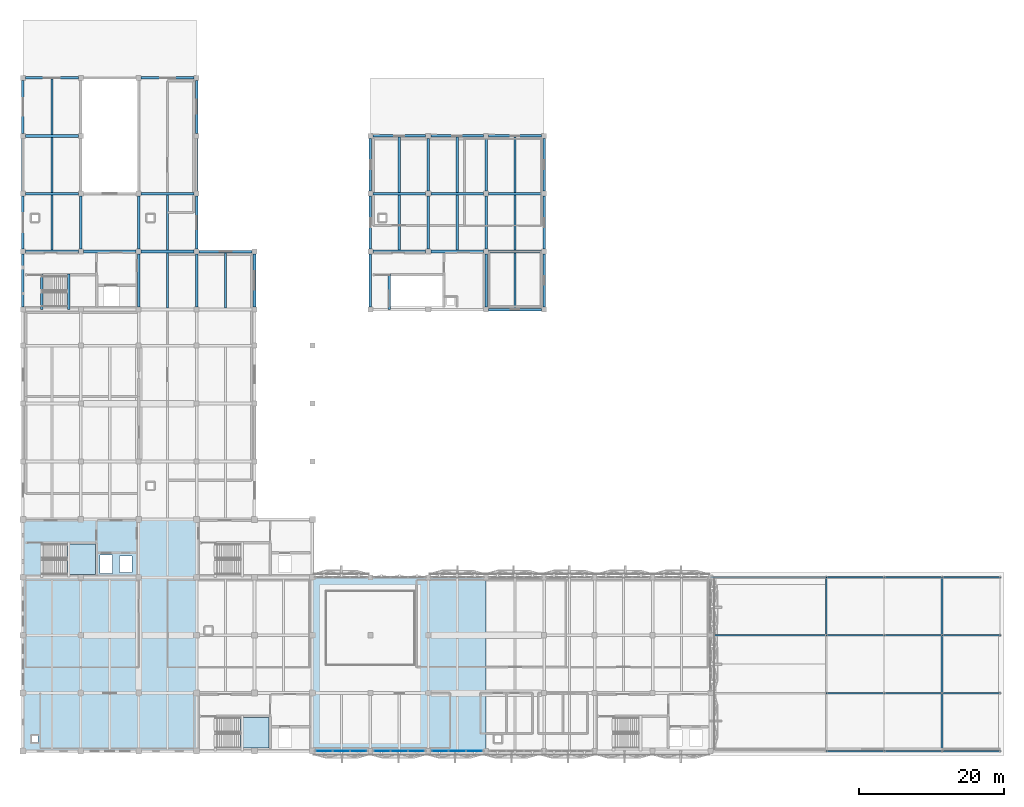
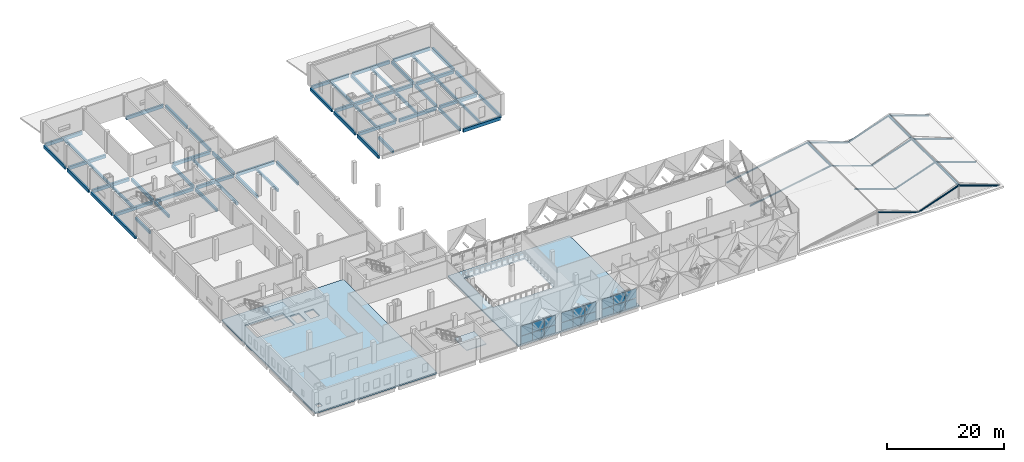
# One storey, part 17 of 37: 62 beams, 18 plates, 14 members, 4 slabs, 5 elements without a shape of their own.
"""IFC4 building model written with IfcOpenShell, lengths in metres."""

from ifc_helpers import new_model, si_unit, direction, frame, origin, origin_2d, place, context, subcontext, project, spatial, polyline, rectangle, i_section, outline, extrude, material, layer, layer_set, material_profile, profile_set, type_object, element, aggregate, save


model = new_model("IFC4")

# Units and contexts
model_context = context("Model", 3, precision=1e-05, world=origin(), true_north=direction((0.0, 1.0)))
body_context = subcontext(model_context, "Body", "Model", "MODEL_VIEW")
ifc_project = project(units=[si_unit("LENGTHUNIT", "METRE"), si_unit("AREAUNIT", "SQUARE_METRE"), si_unit("VOLUMEUNIT", "CUBIC_METRE"), si_unit("PLANEANGLEUNIT", "RADIAN"), si_unit("MASSUNIT", "GRAM", prefix="KILO")], contexts=[model_context])

# Site, building, storey
site_placement = place(None, origin())
site = spatial("IfcSite", under=ifc_project, at=site_placement, CompositionType="ELEMENT")
building_placement = place(site_placement, origin())
building = spatial("IfcBuilding", under=site, at=building_placement, Name="Qorikala Patio Media Centre", CompositionType="ELEMENT")
storey_placement = place(building_placement, frame((0.0, 0.0, 14.39990234375)))
storey = spatial("IfcBuildingStorey", under=building, at=storey_placement, Name="L03", CompositionType="ELEMENT", Elevation=14.39990234375)

# Beams
ifc_material_1 = material(Name="Concrete C35/45", Category="concrete")
ifc_material_profile_1 = material_profile(ifc_material_1, rectangle(XDim=0.35009765625, YDim=0.60009765625, at=origin_2d()), Name="RC 350x600")
ifc_profile_set_1 = profile_set([ifc_material_profile_1], Name="Concrete C35/45")
beam_type_1 = type_object("IfcBeamType", Name="BM-G350X600", PredefinedType="BEAM", material=ifc_profile_set_1)
for number, where, z_axis, x_axis, name in (
    (1, (11.0, 72.35009765625, -0.599853515625), (0.0, 1.0, 0.0), (-1.0, 0.0, 0.0), "L03 Grid X=11 Beam 1206"),
    (2, (19.0, 64.35009765625, -0.599853515625), (0.0, 1.0, 0.0), (-1.0, 0.0, 0.0), "L03 Grid X=19 Beam 1213"),
    (3, (19.0, 72.35009765625, -0.599853515625), (0.0, 1.0, 0.0), (-1.0, 0.0, 0.0), "L03 Grid X=19 Beam 1214"),
    (4, (27.0, 64.35009765625, -0.599853515625), (0.0, 1.0, 0.0), (-1.0, 0.0, 0.0), "L03 Grid X=27 Beam 1223"),
    (5, (59.0, 72.35009765625, -0.599853515625), (0.0, 1.0, 0.0), (-1.0, 0.0, 0.0), "L03 Grid X=59 Beam 1245"),
    (6, (59.0, 80.35009765625, -0.599853515625), (0.0, 1.0, 0.0), (-1.0, 0.0, 0.0), "L03 Grid X=59 Beam 1246"),
    (7, (67.0, 64.35009765625, -0.599853515625), (0.0, 1.0, 0.0), (-1.0, 0.0, 0.0), "L03 Grid X=67 Beam 1247"),
    (8, (67.0, 72.35009765625, -0.599853515625), (0.0, 1.0, 0.0), (-1.0, 0.0, 0.0), "L03 Grid X=67 Beam 1248"),
    (9, (67.0, 80.35009765625, -0.599853515625), (0.0, 1.0, 0.0), (-1.0, 0.0, 0.0), "L03 Grid X=67 Beam 1249"),
):
    element("IfcBeam", number, at=place(storey_placement, frame(where, z_axis=z_axis, x_axis=x_axis)), inside=storey, type_object=beam_type_1, Name=name, PredefinedType="BEAM", context=body_context, shape_type="SweptSolid", body=[
        extrude(rectangle(XDim=0.35009765625, YDim=0.60009765625, at=origin_2d()), origin(), (0.0, 0.0, 1.0), 7.2998046875),
    ])
beam_1_placement = place(storey_placement, frame((5.60009765625, 64.0, -0.2998046875), z_axis=(0.0, 1.0, 0.0), x_axis=(-1.0, 0.0, 0.0)))
element("IfcBeam", 10, at=beam_1_placement, inside=storey, type_object=beam_type_1, Name="L03 ST-3 Well Trimmer Beam", PredefinedType="BEAM", context=body_context, shape_type="SweptSolid", body=[
    extrude(rectangle(XDim=0.35009765625, YDim=0.60009765625, at=origin_2d()), origin(), (0.0, 0.0, 1.0), 4.8798828125),
])
beam_2_placement = place(storey_placement, frame((9.330078125, 64.02001953125, 1.75), z_axis=(0.0, 1.0, 0.0), x_axis=(-1.0, 0.0, 0.0)))
element("IfcBeam", 11, at=beam_2_placement, inside=storey, type_object=beam_type_1, Name="L03 ST-3 Landing Beam 1", PredefinedType="BEAM", context=body_context, shape_type="SweptSolid", body=[
    extrude(rectangle(XDim=0.35009765625, YDim=0.60009765625, at=origin_2d()), origin(), (0.0, 0.0, 1.0), 4.85986328125),
])
beam_3_placement = place(storey_placement, frame((53.60009765625, 64.0, -0.2998046875), z_axis=(0.0, 1.0, 0.0), x_axis=(-1.0, 0.0, 0.0)))
element("IfcBeam", 12, at=beam_3_placement, inside=storey, type_object=beam_type_1, Name="L03 ST-6 Well Trimmer Beam", PredefinedType="BEAM", context=body_context, shape_type="SweptSolid", body=[
    extrude(rectangle(XDim=0.35009765625, YDim=0.60009765625, at=origin_2d()), origin(), (0.0, 0.0, 1.0), 4.8798828125),
])
ifc_material_profile_2 = material_profile(ifc_material_1, rectangle(XDim=0.39990234375, YDim=0.64990234375, at=origin_2d()), Name="RC 400x650")
ifc_profile_set_2 = profile_set([ifc_material_profile_2], Name="Concrete C35/45")
beam_type_2 = type_object("IfcBeamType", Name="BM-G400X650", PredefinedType="BEAM", material=ifc_profile_set_2)
for number, where, z_axis, x_axis, name in (
    (13, (3.35009765625, 72.0, -0.625), (1.0, 0.0, 0.0), (0.0, 1.0, 0.0), "L03 Grid 72 Beam 1169"),
    (14, (11.35009765625, 72.0, -0.625), (1.0, 0.0, 0.0), (0.0, 1.0, 0.0), "L03 Grid 72 Beam 1170"),
    (15, (19.35009765625, 72.0, -0.625), (1.0, 0.0, 0.0), (0.0, 1.0, 0.0), "L03 Grid 72 Beam 1171"),
    (16, (51.35009765625, 72.0, -0.625), (1.0, 0.0, 0.0), (0.0, 1.0, 0.0), "L03 Grid 72 Beam 1173"),
    (17, (59.35009765625, 72.0, -0.625), (1.0, 0.0, 0.0), (0.0, 1.0, 0.0), "L03 Grid 72 Beam 1174"),
    (18, (67.35009765625, 72.0, -0.625), (1.0, 0.0, 0.0), (0.0, 1.0, 0.0), "L03 Grid 72 Beam 1175"),
    (19, (3.35009765625, 80.0, -0.625), (1.0, 0.0, 0.0), (0.0, 1.0, 0.0), "L03 Grid 80 Beam 1176"),
    (20, (19.35009765625, 80.0, -0.625), (1.0, 0.0, 0.0), (0.0, 1.0, 0.0), "L03 Grid 80 Beam 1177"),
    (21, (51.35009765625, 80.0, -0.625), (1.0, 0.0, 0.0), (0.0, 1.0, 0.0), "L03 Grid 80 Beam 1178"),
    (22, (59.35009765625, 80.0, -0.625), (1.0, 0.0, 0.0), (0.0, 1.0, 0.0), "L03 Grid 80 Beam 1179"),
    (23, (67.35009765625, 80.0, -0.625), (1.0, 0.0, 0.0), (0.0, 1.0, 0.0), "L03 Grid 80 Beam 1180"),
    (24, (3.35009765625, 88.0, -0.625), (1.0, 0.0, 0.0), (0.0, 1.0, 0.0), "L03 Grid 88 Beam 1181"),
):
    element("IfcBeam", number, at=place(storey_placement, frame(where, z_axis=z_axis, x_axis=x_axis)), inside=storey, type_object=beam_type_2, Name=name, PredefinedType="BEAM", context=body_context, shape_type="SweptSolid", body=[
        extrude(rectangle(XDim=0.39990234375, YDim=0.64990234375, at=origin_2d()), origin(), (0.0, 0.0, 1.0), 7.2998046875),
    ])
ifc_material_profile_3 = material_profile(ifc_material_1, rectangle(XDim=0.300048828125, YDim=0.550048828125, at=origin_2d()), Name="RC 300x550")
ifc_profile_set_3 = profile_set([ifc_material_profile_3], Name="Concrete C35/45")
beam_type_3 = type_object("IfcBeamType", Name="JS-300X550", PredefinedType="JOIST", material=ifc_profile_set_3)
for number, where, z_axis, x_axis, name in (
    (25, (7.0, 72.199951171875, -0.574951171875), (0.0, 1.0, 0.0), (-1.0, 0.0, 0.0), "L03 Secondary Joist 1270"),
    (26, (7.0, 80.199951171875, -0.574951171875), (0.0, 1.0, 0.0), (-1.0, 0.0, 0.0), "L03 Secondary Joist 1271"),
):
    element("IfcBeam", number, at=place(storey_placement, frame(where, z_axis=z_axis, x_axis=x_axis)), inside=storey, type_object=beam_type_3, Name=name, PredefinedType="JOIST", context=body_context, shape_type="SweptSolid", body=[
        extrude(rectangle(XDim=0.300048828125, YDim=0.550048828125, at=origin_2d()), origin(), (0.0, 0.0, 1.0), 7.60009765625),
    ])
beam_4_placement = place(storey_placement, frame((7.0, 88.199951171875, -0.574951171875), z_axis=(0.0, 1.0, 0.0), x_axis=(-1.0, 0.0, 0.0)))
element("IfcBeam", 27, at=beam_4_placement, inside=storey, type_object=beam_type_3, Name="L03 Secondary Joist 1272", PredefinedType="JOIST", context=body_context, shape_type="SweptSolid", body=[
    extrude(rectangle(XDim=0.300048828125, YDim=0.550048828125, at=origin_2d()), origin(), (0.0, 0.0, 1.0), 7.625),
])
for number, where, z_axis, x_axis, name in (
    (28, (23.0, 64.199951171875, -0.574951171875), (0.0, 1.0, 0.0), (-1.0, 0.0, 0.0), "L03 Secondary Joist 1286"),
    (29, (23.0, 72.199951171875, -0.574951171875), (0.0, 1.0, 0.0), (-1.0, 0.0, 0.0), "L03 Secondary Joist 1287"),
):
    element("IfcBeam", number, at=place(storey_placement, frame(where, z_axis=z_axis, x_axis=x_axis)), inside=storey, type_object=beam_type_3, Name=name, PredefinedType="JOIST", context=body_context, shape_type="SweptSolid", body=[
        extrude(rectangle(XDim=0.300048828125, YDim=0.550048828125, at=origin_2d()), origin(), (0.0, 0.0, 1.0), 7.60009765625),
    ])
beam_5_placement = place(storey_placement, frame((31.0, 64.199951171875, -0.574951171875), z_axis=(0.0, 1.0, 0.0), x_axis=(-1.0, 0.0, 0.0)))
element("IfcBeam", 30, at=beam_5_placement, inside=storey, type_object=beam_type_3, Name="L03 Secondary Joist 1293", PredefinedType="JOIST", context=body_context, shape_type="SweptSolid", body=[
    extrude(rectangle(XDim=0.300048828125, YDim=0.550048828125, at=origin_2d()), origin(), (0.0, 0.0, 1.0), 7.625),
])
beam_6_placement = place(storey_placement, frame((55.0, 72.199951171875, -0.574951171875), z_axis=(0.0, 1.0, 0.0), x_axis=(-1.0, 0.0, 0.0)))
element("IfcBeam", 31, at=beam_6_placement, inside=storey, type_object=beam_type_3, Name="L03 Secondary Joist 1298", PredefinedType="JOIST", context=body_context, shape_type="SweptSolid", body=[
    extrude(rectangle(XDim=0.300048828125, YDim=0.550048828125, at=origin_2d()), origin(), (0.0, 0.0, 1.0), 7.60009765625),
])
beam_7_placement = place(storey_placement, frame((55.0, 80.199951171875, -0.574951171875), z_axis=(0.0, 1.0, 0.0), x_axis=(-1.0, 0.0, 0.0)))
element("IfcBeam", 32, at=beam_7_placement, inside=storey, type_object=beam_type_3, Name="L03 Secondary Joist 1299", PredefinedType="JOIST", context=body_context, shape_type="SweptSolid", body=[
    extrude(rectangle(XDim=0.300048828125, YDim=0.550048828125, at=origin_2d()), origin(), (0.0, 0.0, 1.0), 7.625),
])
beam_8_placement = place(storey_placement, frame((63.0, 72.199951171875, -0.574951171875), z_axis=(0.0, 1.0, 0.0), x_axis=(-1.0, 0.0, 0.0)))
element("IfcBeam", 33, at=beam_8_placement, inside=storey, type_object=beam_type_3, Name="L03 Secondary Joist 1303", PredefinedType="JOIST", context=body_context, shape_type="SweptSolid", body=[
    extrude(rectangle(XDim=0.300048828125, YDim=0.550048828125, at=origin_2d()), origin(), (0.0, 0.0, 1.0), 7.60009765625),
])
for number, where, z_axis, x_axis, name in (
    (34, (63.0, 80.199951171875, -0.574951171875), (0.0, 1.0, 0.0), (-1.0, 0.0, 0.0), "L03 Secondary Joist 1304"),
    (35, (71.0, 64.175048828125, -0.574951171875), (0.0, 1.0, 0.0), (-1.0, 0.0, 0.0), "L03 Secondary Joist 1308"),
):
    element("IfcBeam", number, at=place(storey_placement, frame(where, z_axis=z_axis, x_axis=x_axis)), inside=storey, type_object=beam_type_3, Name=name, PredefinedType="JOIST", context=body_context, shape_type="SweptSolid", body=[
        extrude(rectangle(XDim=0.300048828125, YDim=0.550048828125, at=origin_2d()), origin(), (0.0, 0.0, 1.0), 7.625),
    ])
beam_9_placement = place(storey_placement, frame((71.0, 72.199951171875, -0.574951171875), z_axis=(0.0, 1.0, 0.0), x_axis=(-1.0, 0.0, 0.0)))
element("IfcBeam", 36, at=beam_9_placement, inside=storey, type_object=beam_type_3, Name="L03 Secondary Joist 1309", PredefinedType="JOIST", context=body_context, shape_type="SweptSolid", body=[
    extrude(rectangle(XDim=0.300048828125, YDim=0.550048828125, at=origin_2d()), origin(), (0.0, 0.0, 1.0), 7.60009765625),
])
beam_10_placement = place(storey_placement, frame((71.0, 80.199951171875, -0.574951171875), z_axis=(0.0, 1.0, 0.0), x_axis=(-1.0, 0.0, 0.0)))
element("IfcBeam", 37, at=beam_10_placement, inside=storey, type_object=beam_type_3, Name="L03 Secondary Joist 1310", PredefinedType="JOIST", context=body_context, shape_type="SweptSolid", body=[
    extrude(rectangle(XDim=0.300048828125, YDim=0.550048828125, at=origin_2d()), origin(), (0.0, 0.0, 1.0), 7.625),
])

# Members
ifc_material_2 = material(Name="Steel S355", Category="steel")
ifc_material_profile_4 = material_profile(ifc_material_2, i_section(OverallWidth=0.202880859375, OverallDepth=0.251953125, WebThickness=0.008056640625, FlangeThickness=0.013427734375, at=origin_2d()), Name="W250X58")
ifc_profile_set_4 = profile_set([ifc_material_profile_4], Name="Steel S355")
member_type = type_object("IfcMemberType", Name="RAFTER-W250X58", PredefinedType="RAFTER", material=ifc_profile_set_4)
for number, where, z_axis, x_axis, name in (
    (38, (114.0, 3.0, 2.9501953125), (0.943856560098, 0.0, -0.330355556878), (0.0, 1.0, 0.0), "RF-V7A1 E Steel Rafter Y=3"),
    (39, (114.0, 11.0, 2.9501953125), (0.943856560098, 0.0, -0.330355556878), (0.0, 1.0, 0.0), "RF-V7A1 E Steel Rafter Y=11"),
):
    element("IfcMember", number, at=place(storey_placement, frame(where, z_axis=z_axis, x_axis=x_axis)), inside=storey, type_object=member_type, Name=name, PredefinedType="RAFTER", context=body_context, shape_type="SweptSolid", body=[
        extrude(i_section(OverallWidth=0.202880859375, OverallDepth=0.251953125, WebThickness=0.008056640625, FlangeThickness=0.013427734375, at=origin_2d()), origin(), (0.0, 0.0, 1.0), 8.475830078125),
    ])
member_1_placement = place(storey_placement, frame((98.0, 19.0, 0.150146484375), z_axis=(0.985029956721, 0.0, 0.172383248499), x_axis=(0.0, 1.0, 0.0)))
element("IfcMember", 40, at=member_1_placement, inside=storey, type_object=member_type, Name="RF-V7A1 W Steel Rafter Y=19", PredefinedType="RAFTER", context=body_context, shape_type="SweptSolid", body=[
    extrude(i_section(OverallWidth=0.202880859375, OverallDepth=0.251953125, WebThickness=0.008056640625, FlangeThickness=0.013427734375, at=origin_2d()), origin(), (0.0, 0.0, 1.0), 16.2431640625),
])
member_2_placement = place(storey_placement, frame((114.0, 19.0, 2.9501953125), z_axis=(0.943856560098, 0.0, -0.330355556878), x_axis=(0.0, 1.0, 0.0)))
element("IfcMember", 41, at=member_2_placement, inside=storey, type_object=member_type, Name="RF-V7A1 E Steel Rafter Y=19", PredefinedType="RAFTER", context=body_context, shape_type="SweptSolid", body=[
    extrude(i_section(OverallWidth=0.202880859375, OverallDepth=0.251953125, WebThickness=0.008056640625, FlangeThickness=0.013427734375, at=origin_2d()), origin(), (0.0, 0.0, 1.0), 8.475830078125),
])
member_3_placement = place(storey_placement, frame((98.0, 27.0, 0.150146484375), z_axis=(0.985029956721, 0.0, 0.172383248499), x_axis=(0.0, 1.0, 0.0)))
element("IfcMember", 42, at=member_3_placement, inside=storey, type_object=member_type, Name="RF-V7A1 W Steel Rafter Y=27", PredefinedType="RAFTER", context=body_context, shape_type="SweptSolid", body=[
    extrude(i_section(OverallWidth=0.202880859375, OverallDepth=0.251953125, WebThickness=0.008056640625, FlangeThickness=0.013427734375, at=origin_2d()), origin(), (0.0, 0.0, 1.0), 16.2431640625),
])
for number, where, z_axis, x_axis, name in (
    (43, (114.0, 27.0, 2.9501953125), (0.943856560098, 0.0, -0.330355556878), (0.0, 1.0, 0.0), "RF-V7A1 E Steel Rafter Y=27"),
    (44, (122.0, 3.0, 0.150146484375), (0.943856560098, 0.0, 0.330355556878), (0.0, 1.0, 0.0), "RF-V7A2 W Steel Rafter Y=3"),
    (45, (130.0, 3.0, 2.9501953125), (0.943856560098, 0.0, -0.330355556878), (0.0, 1.0, 0.0), "RF-V7A2 E Steel Rafter Y=3"),
    (46, (122.0, 11.0, 0.150146484375), (0.943856560098, 0.0, 0.330355556878), (0.0, 1.0, 0.0), "RF-V7A2 W Steel Rafter Y=11"),
    (47, (130.0, 11.0, 2.9501953125), (0.943856560098, 0.0, -0.330355556878), (0.0, 1.0, 0.0), "RF-V7A2 E Steel Rafter Y=11"),
    (48, (122.0, 19.0, 0.150146484375), (0.943856560098, 0.0, 0.330355556878), (0.0, 1.0, 0.0), "RF-V7A2 W Steel Rafter Y=19"),
    (49, (130.0, 19.0, 2.9501953125), (0.943856560098, 0.0, -0.330355556878), (0.0, 1.0, 0.0), "RF-V7A2 E Steel Rafter Y=19"),
    (50, (122.0, 27.0, 0.150146484375), (0.943856560098, 0.0, 0.330355556878), (0.0, 1.0, 0.0), "RF-V7A3 W Steel Rafter Y=27"),
    (51, (130.0, 27.0, 2.9501953125), (0.943856560098, 0.0, -0.330355556878), (0.0, 1.0, 0.0), "RF-V7A3 E Steel Rafter Y=27"),
):
    element("IfcMember", number, at=place(storey_placement, frame(where, z_axis=z_axis, x_axis=x_axis)), inside=storey, type_object=member_type, Name=name, PredefinedType="RAFTER", context=body_context, shape_type="SweptSolid", body=[
        extrude(i_section(OverallWidth=0.202880859375, OverallDepth=0.251953125, WebThickness=0.008056640625, FlangeThickness=0.013427734375, at=origin_2d()), origin(), (0.0, 0.0, 1.0), 8.475830078125),
    ])

# Beams
ifc_material_profile_5 = material_profile(ifc_material_2, i_section(OverallWidth=0.25390625, OverallDepth=0.35302734375, WebThickness=0.009521484375, FlangeThickness=0.016357421875, at=origin_2d()), Name="W360X91")
ifc_profile_set_5 = profile_set([ifc_material_profile_5], Name="Steel S355")
beam_type_4 = type_object("IfcBeamType", Name="SBM-W360X91", PredefinedType="BEAM", material=ifc_profile_set_5)
for number, where, z_axis, x_axis, name in (
    (52, (114.0, 19.0, 2.9501953125), (0.0, 1.0, 0.0), (-1.0, 0.0, 0.0), "RF-V7A1 Steel Ridge Girder"),
    (53, (130.0, 3.0, 2.9501953125), (0.0, 1.0, 0.0), (-1.0, 0.0, 0.0), "RF-V7A2 Steel Ridge Girder"),
    (54, (130.0, 11.0, 2.9501953125), (0.0, 1.0, 0.0), (-1.0, 0.0, 0.0), "RF-V7A2 Steel Ridge Girder"),
    (55, (130.0, 19.0, 2.9501953125), (0.0, 1.0, 0.0), (-1.0, 0.0, 0.0), "RF-V7A3 Steel Ridge Girder"),
):
    element("IfcBeam", number, at=place(storey_placement, frame(where, z_axis=z_axis, x_axis=x_axis)), inside=storey, type_object=beam_type_4, Name=name, PredefinedType="BEAM", context=body_context, shape_type="SweptSolid", body=[
        extrude(i_section(OverallWidth=0.25390625, OverallDepth=0.35302734375, WebThickness=0.009521484375, FlangeThickness=0.016357421875, at=origin_2d()), origin(), (0.0, 0.0, 1.0), 8.0),
    ])
ifc_material_profile_6 = material_profile(ifc_material_1, rectangle(XDim=0.35009765625, YDim=0.679931640625, at=origin_2d()), Name="RC 350x680")
ifc_profile_set_6 = profile_set([ifc_material_profile_6], Name="Concrete C35/45")
beam_type_5 = type_object("IfcBeamType", Name="SP-350X680", PredefinedType="SPANDREL", material=ifc_profile_set_6)
for number, where, z_axis, x_axis, name in (
    (56, (67.35009765625, 64.0, -0.639892578125), (1.0, 0.0, 0.0), (0.0, 1.0, 0.0), "L03 Grid 64 Beam 1168"),
    (57, (27.35009765625, 72.0, -0.639892578125), (1.0, 0.0, 0.0), (0.0, 1.0, 0.0), "L03 Grid 72 Beam 1172"),
    (58, (51.35009765625, 88.0, -0.639892578125), (1.0, 0.0, 0.0), (0.0, 1.0, 0.0), "L03 Grid 88 Beam 1182"),
    (59, (59.35009765625, 88.0, -0.639892578125), (1.0, 0.0, 0.0), (0.0, 1.0, 0.0), "L03 Grid 88 Beam 1183"),
    (60, (67.35009765625, 88.0, -0.639892578125), (1.0, 0.0, 0.0), (0.0, 1.0, 0.0), "L03 Grid 88 Beam 1184"),
    (61, (3.35009765625, 96.0, -0.639892578125), (1.0, 0.0, 0.0), (0.0, 1.0, 0.0), "L03 Grid 96 Beam 1185"),
    (62, (19.35009765625, 96.0, -0.639892578125), (1.0, 0.0, 0.0), (0.0, 1.0, 0.0), "L03 Grid 96 Beam 1186"),
    (63, (3.0, 64.35009765625, -0.639892578125), (0.0, 1.0, 0.0), (-1.0, 0.0, 0.0), "L03 Grid X=3 Beam 1195"),
    (64, (3.0, 72.35009765625, -0.639892578125), (0.0, 1.0, 0.0), (-1.0, 0.0, 0.0), "L03 Grid X=3 Beam 1196"),
    (65, (3.0, 80.35009765625, -0.639892578125), (0.0, 1.0, 0.0), (-1.0, 0.0, 0.0), "L03 Grid X=3 Beam 1197"),
    (66, (3.0, 88.35009765625, -0.639892578125), (0.0, 1.0, 0.0), (-1.0, 0.0, 0.0), "L03 Grid X=3 Beam 1198"),
    (67, (27.0, 72.35009765625, -0.639892578125), (0.0, 1.0, 0.0), (-1.0, 0.0, 0.0), "L03 Grid X=27 Beam 1224"),
    (68, (27.0, 80.35009765625, -0.639892578125), (0.0, 1.0, 0.0), (-1.0, 0.0, 0.0), "L03 Grid X=27 Beam 1225"),
    (69, (27.0, 88.35009765625, -0.639892578125), (0.0, 1.0, 0.0), (-1.0, 0.0, 0.0), "L03 Grid X=27 Beam 1226"),
    (70, (35.0, 64.35009765625, -0.639892578125), (0.0, 1.0, 0.0), (-1.0, 0.0, 0.0), "L03 Grid X=35 Beam 1233"),
    (71, (51.0, 64.35009765625, -0.639892578125), (0.0, 1.0, 0.0), (-1.0, 0.0, 0.0), "L03 Grid X=51 Beam 1239"),
    (72, (51.0, 72.35009765625, -0.639892578125), (0.0, 1.0, 0.0), (-1.0, 0.0, 0.0), "L03 Grid X=51 Beam 1240"),
    (73, (51.0, 80.35009765625, -0.639892578125), (0.0, 1.0, 0.0), (-1.0, 0.0, 0.0), "L03 Grid X=51 Beam 1241"),
    (74, (75.0, 64.35009765625, -0.639892578125), (0.0, 1.0, 0.0), (-1.0, 0.0, 0.0), "L03 Grid X=75 Beam 1253"),
    (75, (75.0, 72.35009765625, -0.639892578125), (0.0, 1.0, 0.0), (-1.0, 0.0, 0.0), "L03 Grid X=75 Beam 1254"),
    (76, (75.0, 80.35009765625, -0.639892578125), (0.0, 1.0, 0.0), (-1.0, 0.0, 0.0), "L03 Grid X=75 Beam 1255"),
):
    element("IfcBeam", number, at=place(storey_placement, frame(where, z_axis=z_axis, x_axis=x_axis)), inside=storey, type_object=beam_type_5, Name=name, PredefinedType="SPANDREL", context=body_context, shape_type="SweptSolid", body=[
        extrude(rectangle(XDim=0.35009765625, YDim=0.679931640625, at=origin_2d()), origin(), (0.0, 0.0, 1.0), 7.2998046875),
    ])

# Curtain wall, plates
ifc_material_3 = material(Name="Golden Bronze Anodised Aluminium and Low-E Glass", Category="aluminium")
ifc_layer_1 = layer(ifc_material_3, 0.159912109375)
ifc_layer_set_1 = layer_set([ifc_layer_1], Name="Golden Bronze Anodised Aluminium and Low-E Glass")
curtain_wall_type = type_object("IfcCurtainWallType", Name="CW-DIA-696X385", PredefinedType="USERDEFINED", material=ifc_layer_set_1)
curtain_wall_1_placement = place(storey_placement, origin())
curtain_wall_1 = element("IfcCurtainWall", 77, at=curtain_wall_1_placement, inside=storey, type_object=curtain_wall_type, Name="L03 Courtyard Curtain Wall 068", ObjectType="COURTYARD CURTAIN WALL", PredefinedType="USERDEFINED")
ifc_material_4 = material(Name="Solar-Control Diamond Facet Glass", Category="glass")
ifc_layer_2 = layer(ifc_material_4, 0.035888671875)
ifc_layer_set_2 = layer_set([ifc_layer_2], Name="Solar-Control Diamond Facet Glass")
plate_type = type_object("IfcPlateType", Name="CWP-36", PredefinedType="CURTAIN_PANEL", material=ifc_layer_set_2)
plate_1_placement = place(storey_placement, frame((65.3037109375, 3.0, 0.06494140625), z_axis=(0.0, 0.0, 1.0), x_axis=(-1.0, 0.0, 0.0)))
plate_1 = element("IfcPlate", 78, at=plate_1_placement, type_object=plate_type, Name="CWD696385 panel 1.1", PredefinedType="CURTAIN_PANEL", context=body_context, shape_type="SweptSolid", body=[
    extrude(rectangle(XDim=2.222412109375, YDim=0.035888671875, at=origin_2d()), origin(), (0.0, 0.0, 1.0), 1.635009765625),
])
plate_2_placement = place(storey_placement, frame((65.3037109375, 3.0, 1.76513671875), z_axis=(0.0, 0.0, 1.0), x_axis=(-1.0, 0.0, 0.0)))
plate_2 = element("IfcPlate", 79, at=plate_2_placement, type_object=plate_type, Name="CWD696385 panel 1.2", PredefinedType="CURTAIN_PANEL", context=body_context, shape_type="SweptSolid", body=[
    extrude(rectangle(XDim=2.222412109375, YDim=0.035888671875, at=origin_2d()), origin(), (0.0, 0.0, 1.0), 2.02001953125),
])
plate_3_placement = place(storey_placement, frame((63.0, 3.0, 0.06494140625), z_axis=(0.0, 0.0, 1.0), x_axis=(-1.0, 0.0, 0.0)))
plate_3 = element("IfcPlate", 80, at=plate_3_placement, type_object=plate_type, Name="CWD696385 panel 2.1", PredefinedType="CURTAIN_PANEL", context=body_context, shape_type="SweptSolid", body=[
    extrude(rectangle(XDim=2.2548828125, YDim=0.035888671875, at=origin_2d()), origin(), (0.0, 0.0, 1.0), 1.635009765625),
])
plate_4_placement = place(storey_placement, frame((63.0, 3.0, 1.76513671875), z_axis=(0.0, 0.0, 1.0), x_axis=(-1.0, 0.0, 0.0)))
plate_4 = element("IfcPlate", 81, at=plate_4_placement, type_object=plate_type, Name="CWD696385 panel 2.2", PredefinedType="CURTAIN_PANEL", context=body_context, shape_type="SweptSolid", body=[
    extrude(rectangle(XDim=2.2548828125, YDim=0.035888671875, at=origin_2d()), origin(), (0.0, 0.0, 1.0), 2.02001953125),
])
plate_5_placement = place(storey_placement, frame((60.6962890625, 3.0, 0.06494140625), z_axis=(0.0, 0.0, 1.0), x_axis=(-1.0, 0.0, 0.0)))
plate_5 = element("IfcPlate", 82, at=plate_5_placement, type_object=plate_type, Name="CWD696385 panel 3.1", PredefinedType="CURTAIN_PANEL", context=body_context, shape_type="SweptSolid", body=[
    extrude(rectangle(XDim=2.222412109375, YDim=0.035888671875, at=origin_2d()), origin(), (0.0, 0.0, 1.0), 1.635009765625),
])
plate_6_placement = place(storey_placement, frame((60.6962890625, 3.0, 1.76513671875), z_axis=(0.0, 0.0, 1.0), x_axis=(-1.0, 0.0, 0.0)))
plate_6 = element("IfcPlate", 83, at=plate_6_placement, type_object=plate_type, Name="CWD696385 panel 3.2", PredefinedType="CURTAIN_PANEL", context=body_context, shape_type="SweptSolid", body=[
    extrude(rectangle(XDim=2.222412109375, YDim=0.035888671875, at=origin_2d()), origin(), (0.0, 0.0, 1.0), 2.02001953125),
])
aggregate(curtain_wall_1, [plate_1, plate_2, plate_3, plate_4, plate_5, plate_6])

curtain_wall_2_placement = place(storey_placement, origin())
curtain_wall_2 = element("IfcCurtainWall", 84, at=curtain_wall_2_placement, inside=storey, type_object=curtain_wall_type, Name="L03 Courtyard Curtain Wall 069", ObjectType="COURTYARD CURTAIN WALL", PredefinedType="USERDEFINED")
plate_7_placement = place(storey_placement, frame((57.3037109375, 3.0, 0.06494140625), z_axis=(0.0, 0.0, 1.0), x_axis=(-1.0, 0.0, 0.0)))
plate_7 = element("IfcPlate", 85, at=plate_7_placement, type_object=plate_type, Name="CWD696385 panel 1.1", PredefinedType="CURTAIN_PANEL", context=body_context, shape_type="SweptSolid", body=[
    extrude(rectangle(XDim=2.222412109375, YDim=0.035888671875, at=origin_2d()), origin(), (0.0, 0.0, 1.0), 1.635009765625),
])
plate_8_placement = place(storey_placement, frame((57.3037109375, 3.0, 1.76513671875), z_axis=(0.0, 0.0, 1.0), x_axis=(-1.0, 0.0, 0.0)))
plate_8 = element("IfcPlate", 86, at=plate_8_placement, type_object=plate_type, Name="CWD696385 panel 1.2", PredefinedType="CURTAIN_PANEL", context=body_context, shape_type="SweptSolid", body=[
    extrude(rectangle(XDim=2.222412109375, YDim=0.035888671875, at=origin_2d()), origin(), (0.0, 0.0, 1.0), 2.02001953125),
])
plate_9_placement = place(storey_placement, frame((55.0, 3.0, 0.06494140625), z_axis=(0.0, 0.0, 1.0), x_axis=(-1.0, 0.0, 0.0)))
plate_9 = element("IfcPlate", 87, at=plate_9_placement, type_object=plate_type, Name="CWD696385 panel 2.1", PredefinedType="CURTAIN_PANEL", context=body_context, shape_type="SweptSolid", body=[
    extrude(rectangle(XDim=2.2548828125, YDim=0.035888671875, at=origin_2d()), origin(), (0.0, 0.0, 1.0), 1.635009765625),
])
plate_10_placement = place(storey_placement, frame((55.0, 3.0, 1.76513671875), z_axis=(0.0, 0.0, 1.0), x_axis=(-1.0, 0.0, 0.0)))
plate_10 = element("IfcPlate", 88, at=plate_10_placement, type_object=plate_type, Name="CWD696385 panel 2.2", PredefinedType="CURTAIN_PANEL", context=body_context, shape_type="SweptSolid", body=[
    extrude(rectangle(XDim=2.2548828125, YDim=0.035888671875, at=origin_2d()), origin(), (0.0, 0.0, 1.0), 2.02001953125),
])
plate_11_placement = place(storey_placement, frame((52.6962890625, 3.0, 0.06494140625), z_axis=(0.0, 0.0, 1.0), x_axis=(-1.0, 0.0, 0.0)))
plate_11 = element("IfcPlate", 89, at=plate_11_placement, type_object=plate_type, Name="CWD696385 panel 3.1", PredefinedType="CURTAIN_PANEL", context=body_context, shape_type="SweptSolid", body=[
    extrude(rectangle(XDim=2.222412109375, YDim=0.035888671875, at=origin_2d()), origin(), (0.0, 0.0, 1.0), 1.635009765625),
])
plate_12_placement = place(storey_placement, frame((52.6962890625, 3.0, 1.76513671875), z_axis=(0.0, 0.0, 1.0), x_axis=(-1.0, 0.0, 0.0)))
plate_12 = element("IfcPlate", 90, at=plate_12_placement, type_object=plate_type, Name="CWD696385 panel 3.2", PredefinedType="CURTAIN_PANEL", context=body_context, shape_type="SweptSolid", body=[
    extrude(rectangle(XDim=2.222412109375, YDim=0.035888671875, at=origin_2d()), origin(), (0.0, 0.0, 1.0), 2.02001953125),
])
aggregate(curtain_wall_2, [plate_7, plate_8, plate_9, plate_10, plate_11, plate_12])

curtain_wall_3_placement = place(storey_placement, origin())
curtain_wall_3 = element("IfcCurtainWall", 91, at=curtain_wall_3_placement, inside=storey, type_object=curtain_wall_type, Name="L03 Courtyard Curtain Wall 070", ObjectType="COURTYARD CURTAIN WALL", PredefinedType="USERDEFINED")
plate_13_placement = place(storey_placement, frame((49.3037109375, 3.0, 0.06494140625), z_axis=(0.0, 0.0, 1.0), x_axis=(-1.0, 0.0, 0.0)))
plate_13 = element("IfcPlate", 92, at=plate_13_placement, type_object=plate_type, Name="CWD696385 panel 1.1", PredefinedType="CURTAIN_PANEL", context=body_context, shape_type="SweptSolid", body=[
    extrude(rectangle(XDim=2.222412109375, YDim=0.035888671875, at=origin_2d()), origin(), (0.0, 0.0, 1.0), 1.635009765625),
])
plate_14_placement = place(storey_placement, frame((49.3037109375, 3.0, 1.76513671875), z_axis=(0.0, 0.0, 1.0), x_axis=(-1.0, 0.0, 0.0)))
plate_14 = element("IfcPlate", 93, at=plate_14_placement, type_object=plate_type, Name="CWD696385 panel 1.2", PredefinedType="CURTAIN_PANEL", context=body_context, shape_type="SweptSolid", body=[
    extrude(rectangle(XDim=2.222412109375, YDim=0.035888671875, at=origin_2d()), origin(), (0.0, 0.0, 1.0), 2.02001953125),
])
plate_15_placement = place(storey_placement, frame((47.0, 3.0, 0.06494140625), z_axis=(0.0, 0.0, 1.0), x_axis=(-1.0, 0.0, 0.0)))
plate_15 = element("IfcPlate", 94, at=plate_15_placement, type_object=plate_type, Name="CWD696385 panel 2.1", PredefinedType="CURTAIN_PANEL", context=body_context, shape_type="SweptSolid", body=[
    extrude(rectangle(XDim=2.2548828125, YDim=0.035888671875, at=origin_2d()), origin(), (0.0, 0.0, 1.0), 1.635009765625),
])
plate_16_placement = place(storey_placement, frame((47.0, 3.0, 1.76513671875), z_axis=(0.0, 0.0, 1.0), x_axis=(-1.0, 0.0, 0.0)))
plate_16 = element("IfcPlate", 95, at=plate_16_placement, type_object=plate_type, Name="CWD696385 panel 2.2", PredefinedType="CURTAIN_PANEL", context=body_context, shape_type="SweptSolid", body=[
    extrude(rectangle(XDim=2.2548828125, YDim=0.035888671875, at=origin_2d()), origin(), (0.0, 0.0, 1.0), 2.02001953125),
])
plate_17_placement = place(storey_placement, frame((44.6962890625, 3.0, 0.06494140625), z_axis=(0.0, 0.0, 1.0), x_axis=(-1.0, 0.0, 0.0)))
plate_17 = element("IfcPlate", 96, at=plate_17_placement, type_object=plate_type, Name="CWD696385 panel 3.1", PredefinedType="CURTAIN_PANEL", context=body_context, shape_type="SweptSolid", body=[
    extrude(rectangle(XDim=2.222412109375, YDim=0.035888671875, at=origin_2d()), origin(), (0.0, 0.0, 1.0), 1.635009765625),
])
plate_18_placement = place(storey_placement, frame((44.6962890625, 3.0, 1.76513671875), z_axis=(0.0, 0.0, 1.0), x_axis=(-1.0, 0.0, 0.0)))
plate_18 = element("IfcPlate", 97, at=plate_18_placement, type_object=plate_type, Name="CWD696385 panel 3.2", PredefinedType="CURTAIN_PANEL", context=body_context, shape_type="SweptSolid", body=[
    extrude(rectangle(XDim=2.222412109375, YDim=0.035888671875, at=origin_2d()), origin(), (0.0, 0.0, 1.0), 2.02001953125),
])
aggregate(curtain_wall_3, [plate_13, plate_14, plate_15, plate_16, plate_17, plate_18])

# Slabs
ifc_layer_3 = layer(ifc_material_1, 0.300048828125)
ifc_layer_set_3 = layer_set([ifc_layer_3], Name="Concrete C35/45")
slab_type_1 = type_object("IfcSlabType", Name="SL-FLOOR-300", PredefinedType="FLOOR", material=ifc_layer_set_3)
slab_1_placement = place(storey_placement, frame((0.0, 0.0, -0.2998046875)))
element("IfcSlab", 98, at=slab_1_placement, inside=storey, type_object=slab_type_1, Name="L03 V1A Slab 1.1", PredefinedType="FLOOR", context=body_context, shape_type="SweptSolid", body=[
    extrude(outline(polyline([(3.0, 35.0), (27.0, 35.0), (27.0, 3.0), (3.0, 3.0), (3.0, 35.0)]), holes=[polyline([(5.10009765625, 4.199951171875), (5.10009765625, 5.10009765625), (4.199951171875, 5.10009765625), (4.199951171875, 4.199951171875), (5.10009765625, 4.199951171875)]), polyline([(15.3798828125, 27.52001953125), (15.3798828125, 30.080078125), (13.6201171875, 30.080078125), (13.6201171875, 27.52001953125), (15.3798828125, 27.52001953125)]), polyline([(16.320068359375, 27.669921875), (18.080078125, 27.669921875), (18.080078125, 29.929931640625), (16.320068359375, 29.929931640625), (16.320068359375, 27.669921875)]), polyline([(5.60009765625, 27.39990234375), (13.0, 27.39990234375), (13.0, 31.60009765625), (5.60009765625, 31.60009765625), (5.60009765625, 27.39990234375)])]), origin(), (0.0, 0.0, 1.0), 0.2998046875),
])
slab_2_placement = place(storey_placement, frame((0.0, 0.0, -0.2998046875)))
element("IfcSlab", 99, at=slab_2_placement, inside=storey, type_object=slab_type_1, Name="L03 V2A Slab 3.1", PredefinedType="FLOOR", context=body_context, shape_type="SweptSolid", body=[
    extrude(outline(polyline([(67.0, 3.0), (43.0, 3.0), (43.0, 27.0), (67.0, 27.0), (67.0, 3.0)]), holes=[polyline([(57.0, 15.0), (57.0, 25.0), (45.0, 25.0), (45.0, 15.0), (57.0, 15.0)])]), origin(), (0.0, 0.0, 1.0), 0.2998046875),
])

# Stair, slab
ifc_material_5 = material(Name="Precast concrete C40/50", Category="concrete")
stair_type = type_object("IfcStairType", Name="ST-DL-26R173W200", PredefinedType="HALF_TURN_STAIR", material=ifc_material_5)
stair_1_placement = place(storey_placement, origin())
stair_1 = element("IfcStair", 100, at=stair_1_placement, inside=storey, type_object=stair_type, Name="L03 Core C1 Exit Stair ST-1", PredefinedType="HALF_TURN_STAIR")
ifc_layer_4 = layer(ifc_material_5, 0.199951171875)
ifc_layer_set_4 = layer_set([ifc_layer_4], Name="Precast concrete C40/50")
slab_type_2 = type_object("IfcSlabType", Name="SL-LAND-200", PredefinedType="LANDING", material=ifc_layer_set_4)
slab_3_placement = place(storey_placement, frame((0.0, 0.0, 2.050048828125)))
slab_3 = element("IfcSlab", 101, at=slab_3_placement, type_object=slab_type_2, Name="ST-1 landing 1", PredefinedType="LANDING", context=body_context, shape_type="SweptSolid", body=[
    extrude(outline(polyline([(33.080078125, 3.39990234375), (37.0, 3.39990234375), (37.0, 7.60009765625), (33.080078125, 7.60009765625), (33.080078125, 3.39990234375)])), origin(), (0.0, 0.0, 1.0), 0.199951171875),
])
aggregate(stair_1, [slab_3])

stair_2_placement = place(storey_placement, origin())
stair_2 = element("IfcStair", 102, at=stair_2_placement, inside=storey, type_object=stair_type, Name="L03 Core C2 Exit Stair ST-2", PredefinedType="HALF_TURN_STAIR")
slab_4_placement = place(storey_placement, frame((0.0, 0.0, 2.050048828125)))
slab_4 = element("IfcSlab", 103, at=slab_4_placement, type_object=slab_type_2, Name="ST-2 landing 1", PredefinedType="LANDING", context=body_context, shape_type="SweptSolid", body=[
    extrude(outline(polyline([(9.080078125, 27.39990234375), (13.0, 27.39990234375), (13.0, 31.60009765625), (9.080078125, 31.60009765625), (9.080078125, 27.39990234375)])), origin(), (0.0, 0.0, 1.0), 0.199951171875),
])
aggregate(stair_2, [slab_4])

save(model, "model.ifc")
